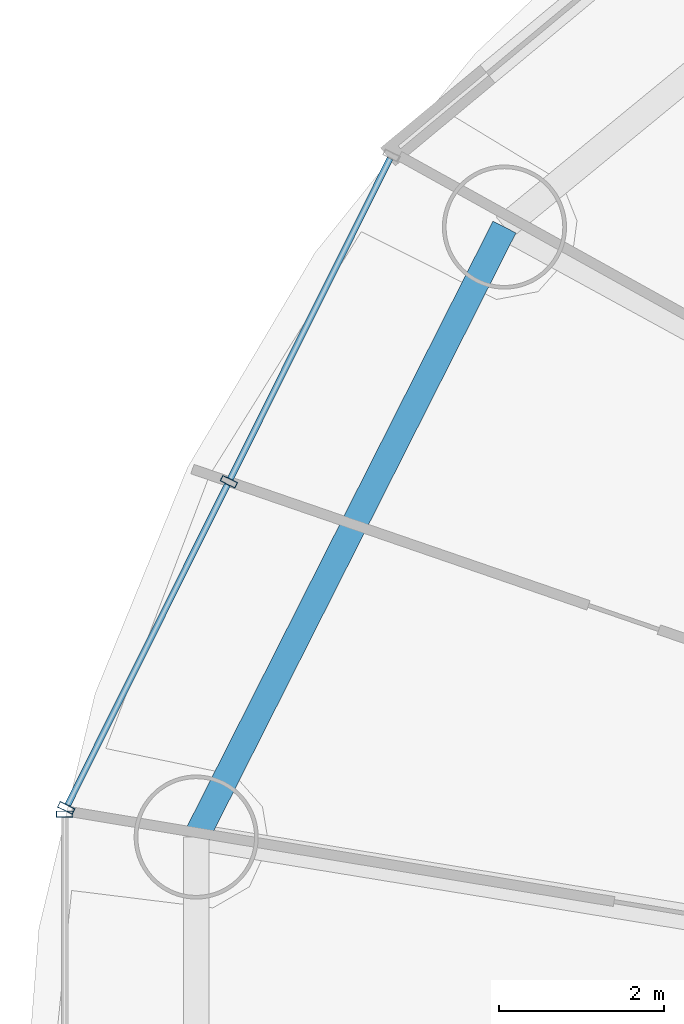
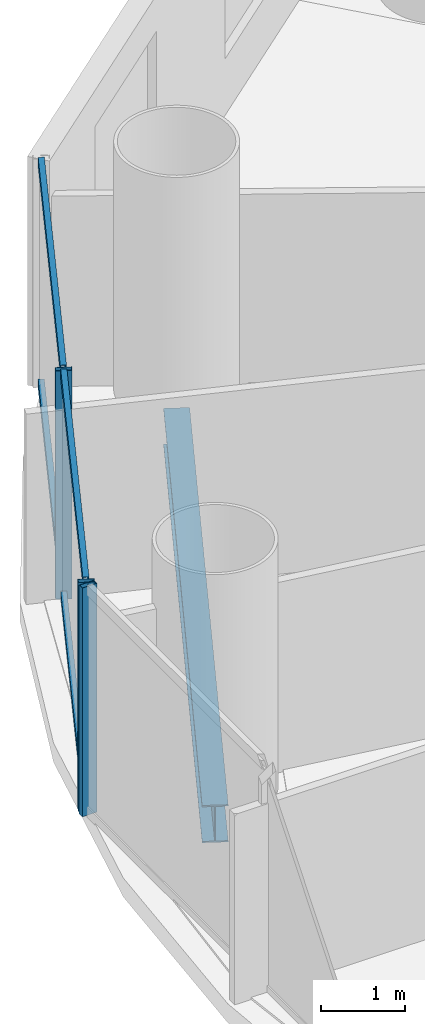
# One storey, part 9 of 29: 7 members, 1 beam, 2 elements without a shape of their own.
"""IFC4 building model written with IfcOpenShell, lengths in metres."""

import ifcopenshell
import ifcopenshell.guid

model = None  # the IFC model being written
_history = None  # IfcOwnerHistory: only IFC2X3 demands one
_inside = {}  # id of a spatial element -> (the spatial element, [elements in it])
_under = {}  # id of a project, library or spatial element -> (it, [spatial elements below it])
_declared = {}  # id of a project -> (the project, [libraries it declares])
_typed = {}  # id of a type object -> (the type object, [elements of that type])
_made_of = {}  # id of a material, layer set ... -> (it, [elements and type objects made of it])


def new_model(schema):
    """Start an empty IFC model of exactly this schema.

    Asked for "IFC4X3", IfcOpenShell would pick the latest addendum, in which some entities
    have other attributes; the version numbers below select the first issue.
    IFC2X3 requires an IfcOwnerHistory on every rooted entity: one is made here for all.
    """
    global model, _history
    if schema == "IFC4X3":
        model = ifcopenshell.file(schema_version=(4, 3, 0, 0))
    else:
        model = ifcopenshell.file(schema=schema)
    _inside.clear()
    _under.clear()
    _declared.clear()
    _typed.clear()
    _made_of.clear()
    _history = None
    if model.schema == "IFC2X3":
        org = make("IfcOrganization", Name="unknown")
        user = make(
            "IfcPersonAndOrganization",
            ThePerson=make("IfcPerson", FamilyName="unknown"),
            TheOrganization=org,
        )
        app = make(
            "IfcApplication",
            ApplicationDeveloper=org,
            Version="unknown",
            ApplicationFullName="unknown",
            ApplicationIdentifier="unknown",
        )
        _history = make(
            "IfcOwnerHistory",
            OwningUser=user,
            OwningApplication=app,
            ChangeAction="ADDED",
            CreationDate=0,
        )
    return model


def make(cls, **values):
    """One entity of the class cls with the attributes given. An attribute that is None is left unset."""
    return model.create_entity(
        cls, **{name: value for name, value in values.items() if value is not None}
    )


def rooted(cls, **values):
    """An entity with a GlobalId (a new one), such as an element, a storey or a relation."""
    return make(cls, GlobalId=ifcopenshell.guid.new(), OwnerHistory=_history, **values)


def si_unit(unit_type, name, prefix=None):
    """IfcSIUnit, for example si_unit("LENGTHUNIT", "METRE", prefix="MILLI")."""
    return make("IfcSIUnit", UnitType=unit_type, Prefix=prefix, Name=name)


def assignment(units):
    """IfcUnitAssignment: the units of a project."""
    return None if units is None else make("IfcUnitAssignment", Units=units)


def point(xyz):
    """IfcCartesianPoint."""
    return None if xyz is None else make("IfcCartesianPoint", Coordinates=xyz)


def direction(xyz):
    """IfcDirection."""
    return None if xyz is None else make("IfcDirection", DirectionRatios=xyz)


def frame(location, z_axis=None, x_axis=None):
    """IfcAxis2Placement3D, a coordinate frame: its origin and axes. An axis left out is left unset."""
    return make(
        "IfcAxis2Placement3D",
        Location=point(location),
        Axis=direction(z_axis),
        RefDirection=direction(x_axis),
    )


def frame_2d(location, x_axis=None):
    """IfcAxis2Placement2D, a coordinate frame in the plane: its origin and x axis."""
    return make(
        "IfcAxis2Placement2D", Location=point(location), RefDirection=direction(x_axis)
    )


def origin():
    """The frame at (0, 0, 0) with its axes left unset."""
    return frame((0.0, 0.0, 0.0))


def origin_2d():
    """The frame at (0, 0) in the plane with its x axis left unset."""
    return frame_2d((0.0, 0.0))


def place(relative_to, where):
    """IfcLocalPlacement: puts the frame where relative to a parent placement (None: the world)."""
    return make(
        "IfcLocalPlacement", PlacementRelTo=relative_to, RelativePlacement=where
    )


def context(
    kind, dimensions, precision=None, world=None, true_north=None, identifier=None
):
    """IfcGeometricRepresentationContext, for example the 3D "Model" context."""
    return make(
        "IfcGeometricRepresentationContext",
        ContextIdentifier=identifier,
        ContextType=kind,
        CoordinateSpaceDimension=dimensions,
        Precision=precision,
        WorldCoordinateSystem=world,
        TrueNorth=true_north,
    )


def subcontext(parent, identifier, kind, view, scale=None):
    """IfcGeometricRepresentationSubContext, for example "Body" below "Model"."""
    return make(
        "IfcGeometricRepresentationSubContext",
        ContextIdentifier=identifier,
        ContextType=kind,
        ParentContext=parent,
        TargetScale=scale,
        TargetView=view,
    )


def project(units=None, contexts=None):
    """IfcProject with its units and contexts."""
    return rooted(
        "IfcProject",
        Name="project",
        RepresentationContexts=contexts,
        UnitsInContext=assignment(units),
    )


def spatial(cls, under=None, at=None, **own):
    """A site, building, storey or space (cls), placed at a placement, below another one or the project."""
    s = rooted(cls, ObjectPlacement=at, **own)
    if under is not None:
        _under.setdefault(under.id(), (under, []))[1].append(s)
    return s


def profile(cls, at=None, kind="AREA", **sizes):
    """A parametric profile (cls). Its sizes go by their IFC names, for example OverallWidth=200.0."""
    return make(cls, ProfileType=kind, Position=at, **sizes)


def hollow_rectangle(**sizes):
    """IfcRectangleHollowProfileDef."""
    return profile("IfcRectangleHollowProfileDef", **sizes)


def i_section(**sizes):
    """IfcIShapeProfileDef."""
    return profile("IfcIShapeProfileDef", **sizes)


def extrude(swept, where, along, depth):
    """IfcExtrudedAreaSolid: the profile swept, set in the frame where, extruded along a direction by depth."""
    return make(
        "IfcExtrudedAreaSolid",
        SweptArea=swept,
        Position=where,
        ExtrudedDirection=direction(along),
        Depth=depth,
    )


def shape(context_of_items, identifier, shape_type, items):
    """IfcShapeRepresentation: the items that make up one representation, for example the "Body"."""
    return make(
        "IfcShapeRepresentation",
        ContextOfItems=context_of_items,
        RepresentationIdentifier=identifier,
        RepresentationType=shape_type,
        Items=items,
    )


def source(mapping_origin, context_of_items, identifier, shape_type, items):
    """IfcRepresentationMap: a shape defined once, which mapped items show again and again."""
    return make(
        "IfcRepresentationMap",
        MappingOrigin=mapping_origin,
        MappedRepresentation=shape(context_of_items, identifier, shape_type, items),
    )


def transform(
    local_origin,
    x_axis=None,
    y_axis=None,
    z_axis=None,
    scale=None,
    scale2=None,
    scale3=None,
    uniform=True,
):
    """IfcCartesianTransformationOperator3D, or its non-uniform kind. x_axis, y_axis, z_axis: its Axis1, 2, 3."""
    if uniform:
        return make(
            "IfcCartesianTransformationOperator3D",
            Axis1=direction(x_axis),
            Axis2=direction(y_axis),
            LocalOrigin=point(local_origin),
            Scale=scale,
            Axis3=direction(z_axis),
        )
    return make(
        "IfcCartesianTransformationOperator3DnonUniform",
        Axis1=direction(x_axis),
        Axis2=direction(y_axis),
        LocalOrigin=point(local_origin),
        Scale=scale,
        Axis3=direction(z_axis),
        Scale2=scale2,
        Scale3=scale3,
    )


def mapped(mapping_source, mapping_target):
    """IfcMappedItem: shows the shape of a source again, moved by a transform."""
    return make(
        "IfcMappedItem", MappingSource=mapping_source, MappingTarget=mapping_target
    )


def material(Name=None, Category=None):
    """IfcMaterial."""
    return make("IfcMaterial", Name=Name, Category=Category)


def material_profile(
    of_material, cross_section, Name=None, Category=None, Priority=None
):
    """IfcMaterialProfile: a cross section and its material."""
    return make(
        "IfcMaterialProfile",
        Name=Name,
        Material=of_material,
        Profile=cross_section,
        Priority=Priority,
        Category=Category,
    )


def profile_set(profiles, Name=None, composite=None):
    """IfcMaterialProfileSet."""
    return make(
        "IfcMaterialProfileSet",
        Name=Name,
        MaterialProfiles=profiles,
        CompositeProfile=composite,
    )


def made_of(thing, what):
    """Note that an element or type object is made of a material, layer set ...; save() writes the relation."""
    if what is not None:
        _made_of.setdefault(what.id(), (what, []))[1].append(thing)
    return thing


def type_object(cls, material=None, **own):
    """A type object (cls), such as IfcWallType, which elements share."""
    return made_of(rooted(cls, **own), material)


def element(
    cls,
    number,
    at=None,
    inside=None,
    cuts=None,
    type_object=None,
    material=None,
    context=None,
    identifier="Body",
    shape_type=None,
    held_by="IfcProductDefinitionShape",
    body=None,
    shapes=None,
    **own,
):
    """One element of the class cls, such as IfcWall. Its Tag is "e" and its number.

    at: its placement. inside: the storey or other place that contains it. cuts: it is an
    opening in that element (IfcRelVoidsElement). A single representation is given by context,
    identifier, shape_type and body (its items); several are given by shapes. held_by: the class
    of the entity that holds the representations. save() writes the other relations.
    """
    e = rooted(cls, Tag="e%d" % number, ObjectPlacement=at, **own)
    if body is not None:
        shapes = [shape(context, identifier, shape_type, body)]
    if shapes is not None:
        e.Representation = make(held_by, Representations=shapes)
    if inside is not None:
        _inside.setdefault(inside.id(), (inside, []))[1].append(e)
    if cuts is not None:
        rooted(
            "IfcRelVoidsElement", RelatingBuildingElement=cuts, RelatedOpeningElement=e
        )
    if type_object is not None:
        _typed.setdefault(type_object.id(), (type_object, []))[1].append(e)
    return made_of(e, material)


def aggregate(whole, parts):
    """IfcRelAggregates: a whole, such as a stair, and the parts it consists of."""
    return rooted("IfcRelAggregates", RelatingObject=whole, RelatedObjects=parts)


def save(model, path):
    """Write the relations noted so far, then the file.

    IfcRelAggregates (storeys below a building ...), IfcRelContainedInSpatialStructure (elements
    in a storey), IfcRelDefinesByType, IfcRelAssociatesMaterial and IfcRelDeclares: one each for
    every whole, place, type object, material and project.
    """
    for whole, parts in _under.values():
        aggregate(whole, parts)
    for where, things in _inside.values():
        rooted(
            "IfcRelContainedInSpatialStructure",
            RelatedElements=things,
            RelatingStructure=where,
        )
    for kind, things in _typed.values():
        rooted("IfcRelDefinesByType", RelatedObjects=things, RelatingType=kind)
    for what, things in _made_of.values():
        rooted("IfcRelAssociatesMaterial", RelatedObjects=things, RelatingMaterial=what)
    for by, libraries in _declared.values():
        rooted("IfcRelDeclares", RelatingContext=by, RelatedDefinitions=libraries)
    model.write(path)


model = new_model("IFC4")

# Units and contexts
model_context = context("Model", 3, precision=1e-05, world=origin(), true_north=direction((-0.2419218956, 0.970295726276)))
body_context = subcontext(model_context, "Body", "Model", "MODEL_VIEW")
ifc_project = project(units=[si_unit("LENGTHUNIT", "METRE"), si_unit("AREAUNIT", "SQUARE_METRE"), si_unit("VOLUMEUNIT", "CUBIC_METRE"), si_unit("PLANEANGLEUNIT", "RADIAN"), si_unit("MASSUNIT", "GRAM", prefix="KILO")], contexts=[model_context])

# Site, building, storey
site_placement = place(None, origin())
site = spatial("IfcSite", under=ifc_project, at=site_placement, CompositionType="ELEMENT")
building_placement = place(site_placement, origin())
building = spatial("IfcBuilding", under=site, at=building_placement, Name="Cobrevalo Terracotta Tower", CompositionType="ELEMENT")
storey_placement = place(building_placement, frame((0.0, 0.0, 115.800048828125)))
storey = spatial("IfcBuildingStorey", under=building, at=storey_placement, Name="L30", CompositionType="ELEMENT", Elevation=115.800048828125)

# Beam
ifc_material_1 = material(Name="Steel S355", Category="steel")
ifc_material_profile_1 = material_profile(ifc_material_1, i_section(OverallWidth=0.31201171875, OverallDepth=0.54296875, WebThickness=0.0126953125, FlangeThickness=0.020263671875, at=origin_2d()), Name="W 530x150")
ifc_profile_set_1 = profile_set([ifc_material_profile_1], Name="Steel S355")
beam_type = type_object("IfcBeamType", Name="Structural Spandrel W 530x150 (Steel S355)", PredefinedType="SPANDREL", material=ifc_profile_set_1)
beam_placement = place(storey_placement, frame((17.2548828125, 38.161376953125, -0.546630859375), z_axis=(-0.451051982172, -0.892497680321, 0.0), x_axis=(0.892497680321, -0.451051982172, 0.0)))
element("IfcBeam", 1, at=beam_placement, inside=storey, type_object=beam_type, Name="L30 perimeter ring spandrel 07", PredefinedType="SPANDREL", context=body_context, shape_type="SweptSolid", body=[
    extrude(i_section(OverallWidth=0.31201171875, OverallDepth=0.54296875, WebThickness=0.0126953125, FlangeThickness=0.020263671875, at=origin_2d()), origin(), (0.0, 0.0, 1.0), 8.259765625),
])

# Curtain wall, members
ifc_material_2 = material(Name="Anodized aluminium", Category="aluminium")
curtain_wall_type = type_object("IfcCurtainWallType", Name="Lower-tower unitised acoustic low-E curtain wall CW-U1", PredefinedType="NOTDEFINED", material=ifc_material_2)
curtain_wall_1_placement = place(storey_placement, origin())
curtain_wall_1 = element("IfcCurtainWall", 2, at=curtain_wall_1_placement, inside=storey, type_object=curtain_wall_type, Name="L30 curtain wall CW-L30-S07", PredefinedType="NOTDEFINED")
ifc_material_profile_2 = material_profile(ifc_material_2, hollow_rectangle(XDim=0.074951171875, YDim=0.199951171875, WallThickness=0.0048828125, at=origin_2d()), Name="CWM 75x200")
ifc_profile_set_2 = profile_set([ifc_material_profile_2], Name="Anodized aluminium")
member_type_1 = type_object("IfcMemberType", Name="Lower/mid tower unitised mullion 75x200", PredefinedType="MULLION", material=ifc_profile_set_2)
shared_shape_1 = source(origin(), body_context, "Body", "SweptSolid", [
    extrude(hollow_rectangle(XDim=0.074951171875, YDim=0.199951171875, WallThickness=0.0048828125, at=origin_2d()), origin(), (0.0, 0.0, 1.0), 3.324951171875),
])
member_1_placement = place(storey_placement, frame((13.924072265625, 35.08349609375, 0.0), z_axis=(0.0, 0.0, 1.0), x_axis=(-0.446260290227, -0.894903208937, 0.0)))
member_1 = element("IfcMember", 3, at=member_1_placement, type_object=member_type_1, Name="CW-L30-S07 vertical mullion 02", PredefinedType="MULLION", context=body_context, shape_type="MappedRepresentation", body=[
    mapped(shared_shape_1, transform((0.0, 0.0, 0.0), scale=1.0)),
])
member_2_placement = place(storey_placement, frame((11.95849609375, 31.141357421875, 0.0), z_axis=(0.0, 0.0, 1.0), x_axis=(-0.446260290227, -0.894903208937, 0.0)))
member_2 = element("IfcMember", 4, at=member_2_placement, type_object=member_type_1, Name="CW-L30-S07 vertical mullion 03", PredefinedType="MULLION", context=body_context, shape_type="MappedRepresentation", body=[
    mapped(shared_shape_1, transform((0.0, 0.0, 0.0), scale=1.0)),
])

# Curtain wall, member
curtain_wall_2_placement = place(storey_placement, origin())
curtain_wall_2 = element("IfcCurtainWall", 5, at=curtain_wall_2_placement, inside=storey, type_object=curtain_wall_type, Name="L30 curtain wall CW-L30-S08", PredefinedType="NOTDEFINED")
member_3_placement = place(storey_placement, frame((11.9404296875, 31.065673828125, 0.0), z_axis=(0.0, 0.0, 1.0), x_axis=(0.0, -1.0, 0.0)))
member_3 = element("IfcMember", 6, at=member_3_placement, type_object=member_type_1, Name="CW-L30-S08 vertical mullion 01", PredefinedType="MULLION", context=body_context, shape_type="MappedRepresentation", body=[
    mapped(shared_shape_1, transform((0.0, 0.0, 0.0), scale=1.0)),
])
aggregate(curtain_wall_2, [member_3])

# Member
ifc_material_profile_3 = material_profile(ifc_material_2, hollow_rectangle(XDim=0.074951171875, YDim=0.14990234375, WallThickness=0.00439453125, at=origin_2d()), Name="CWT 75x150")
ifc_profile_set_3 = profile_set([ifc_material_profile_3], Name="Anodized aluminium")
member_type_2 = type_object("IfcMemberType", Name="Tower unitised aluminium transom 75x150", PredefinedType="USERDEFINED", material=ifc_profile_set_3)
shared_shape_2 = source(origin(), body_context, "Body", "SweptSolid", [
    extrude(hollow_rectangle(XDim=0.074951171875, YDim=0.14990234375, WallThickness=0.00439453125, at=origin_2d()), origin(), (0.0, 0.0, 1.0), 4.324951171875),
])
member_4_placement = place(storey_placement, frame((15.8720703125, 38.98974609375, 0.050048828125), z_axis=(-0.44624238083, -0.894912139571, 0.0), x_axis=(0.894912139571, -0.44624238083, 0.0)))
member_4 = element("IfcMember", 7, at=member_4_placement, type_object=member_type_2, Name="CW-L30-S07 transom B01-T1", ObjectType="TRANSOM", PredefinedType="USERDEFINED", context=body_context, shape_type="MappedRepresentation", body=[
    mapped(shared_shape_2, transform((0.0, 0.0, 0.0), scale=1.0)),
])

member_5_placement = place(storey_placement, frame((15.8720703125, 38.98974609375, 3.27490234375), z_axis=(-0.44624238083, -0.894912139571, 0.0), x_axis=(0.894912139571, -0.44624238083, 0.0)))
member_5 = element("IfcMember", 8, at=member_5_placement, type_object=member_type_2, Name="CW-L30-S07 transom B01-T2", ObjectType="TRANSOM", PredefinedType="USERDEFINED", context=body_context, shape_type="MappedRepresentation", body=[
    mapped(shared_shape_2, transform((0.0, 0.0, 0.0), scale=1.0)),
])

member_6_placement = place(storey_placement, frame((13.90625, 35.0478515625, 0.050048828125), z_axis=(-0.446219838389, -0.894923379864, 0.0), x_axis=(0.894923379864, -0.446219838389, 0.0)))
member_6 = element("IfcMember", 9, at=member_6_placement, type_object=member_type_2, Name="CW-L30-S07 transom B02-T1", ObjectType="TRANSOM", PredefinedType="USERDEFINED", context=body_context, shape_type="MappedRepresentation", body=[
    mapped(shared_shape_2, transform((0.0, 0.0, 0.0), scale=1.0)),
])

member_7_placement = place(storey_placement, frame((13.90625, 35.0478515625, 3.27490234375), z_axis=(-0.446219838389, -0.894923379864, 0.0), x_axis=(0.894923379864, -0.446219838389, 0.0)))
member_7 = element("IfcMember", 10, at=member_7_placement, type_object=member_type_2, Name="CW-L30-S07 transom B02-T2", ObjectType="TRANSOM", PredefinedType="USERDEFINED", context=body_context, shape_type="MappedRepresentation", body=[
    mapped(shared_shape_2, transform((0.0, 0.0, 0.0), scale=1.0)),
])

aggregate(curtain_wall_1, [member_1, member_2, member_4, member_5, member_6, member_7])

save(model, "model.ifc")
